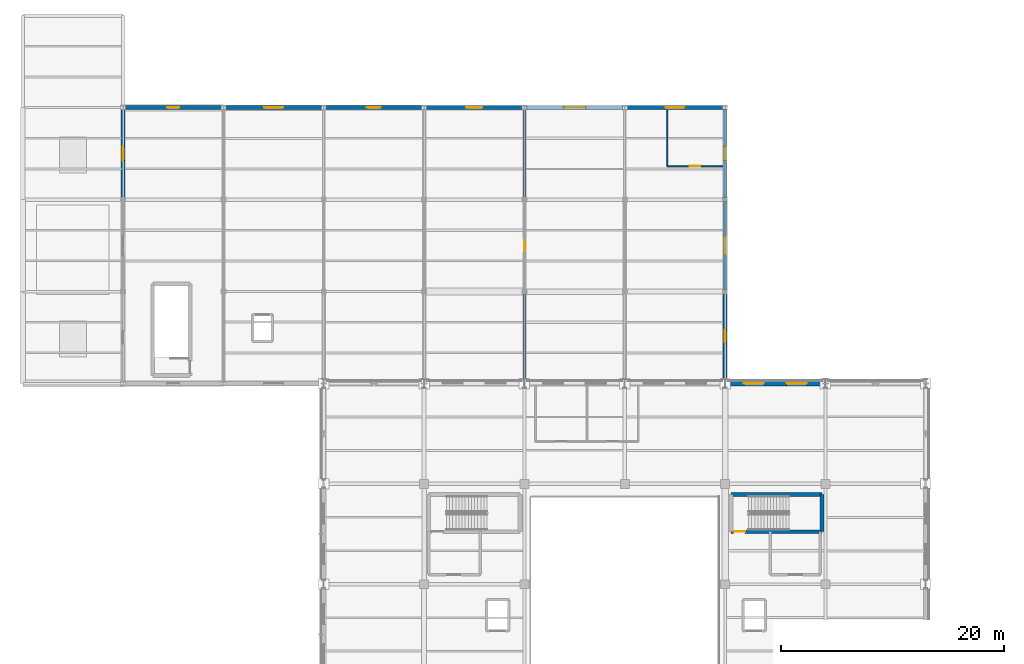
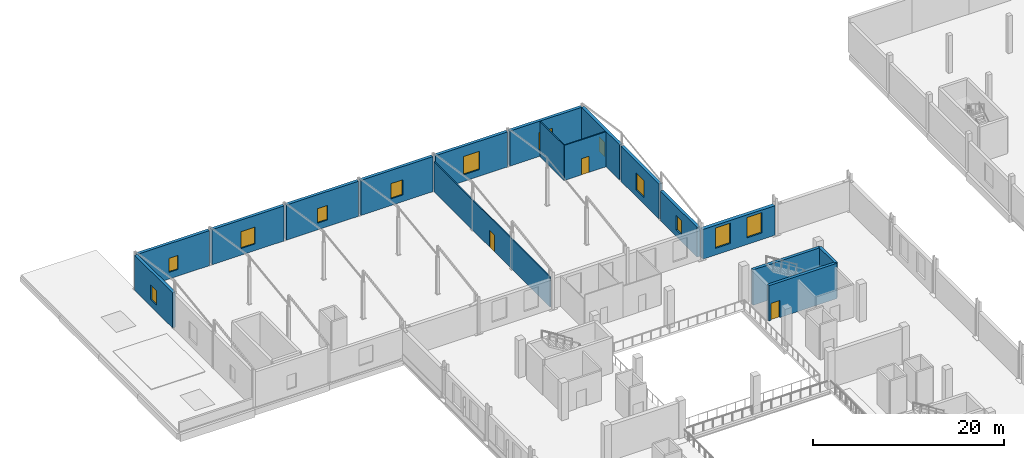
# One storey, part 36 of 54: 17 walls, 12 windows, 3 doors, 15 openings.
"""IFC4 building model written with IfcOpenShell, lengths in metres."""

from ifc_helpers import new_model, si_unit, direction, frame, frame_2d, origin, place, context, subcontext, project, spatial, rectangle, extrude, material, layer, layer_set, type_object, element, fill, save


model = new_model("IFC4")

# Units and contexts
model_context = context("Model", 3, precision=1e-05, world=origin(), true_north=direction((0.0, 1.0)))
body_context = subcontext(model_context, "Body", "Model", "MODEL_VIEW")
ifc_project = project(units=[si_unit("LENGTHUNIT", "METRE"), si_unit("AREAUNIT", "SQUARE_METRE"), si_unit("VOLUMEUNIT", "CUBIC_METRE"), si_unit("PLANEANGLEUNIT", "RADIAN"), si_unit("MASSUNIT", "GRAM", prefix="KILO")], contexts=[model_context])

# Site, building, storey
site_placement = place(None, origin())
site = spatial("IfcSite", under=ifc_project, at=site_placement, CompositionType="ELEMENT")
building_placement = place(site_placement, origin())
building = spatial("IfcBuilding", under=site, at=building_placement, Name="Sundgate Opera House", CompositionType="ELEMENT")
storey_placement = place(building_placement, frame((0.0, 0.0, 16.800048828125)))
storey = spatial("IfcBuildingStorey", under=building, at=storey_placement, Name="L03", CompositionType="ELEMENT", Elevation=16.800048828125)

# Wall, opening, door
ifc_material_1 = material(Name="Concrete C40/50", Category="concrete")
ifc_layer_1 = layer(ifc_material_1, 0.35009765625)
ifc_layer_set_1 = layer_set([ifc_layer_1], Name="Concrete C40/50")
wall_type_1 = type_object("IfcWallType", Name="WL-CORE-350", PredefinedType="SHEAR", material=ifc_layer_set_1)
wall_1_placement = place(storey_placement, frame((63.510009765625, 73.7099609375, 0.0), z_axis=(0.0, 0.0, 1.0), x_axis=(1.0, 0.0, 0.0)))
wall_1 = element("IfcWall", 1, at=wall_1_placement, inside=storey, type_object=wall_type_1, Name="L03 C4 South Shaft Wall", PredefinedType="SHEAR", context=body_context, shape_type="SweptSolid", body=[
    extrude(rectangle(XDim=8.179931640625, YDim=0.35009765625, at=frame_2d((4.08984375, 0.0))), origin(), (0.0, 0.0, 1.0), 4.52001953125),
])
opening_1_placement = place(wall_1_placement, frame((0.239990234375, 0.0, 0.0)))
opening_1 = element("IfcOpeningElement", 2, at=opening_1_placement, cuts=wall_1, Name="Opening DI01", PredefinedType="OPENING", context=body_context, shape_type="SweptSolid", body=[
    extrude(rectangle(XDim=1.050048828125, YDim=2.179931640625, at=frame_2d((0.52490234375, 1.08984375))), frame((0.0, 0.18505859375, 0.0), z_axis=(0.0, -1.0, 0.0), x_axis=(1.0, 0.0, 0.0)), (0.0, 0.0, 1.0), 0.3701171875),
])
ifc_material_2 = material(Name="Acoustic hardwood timber and steel core", Category="steel")
door_type_1 = type_object("IfcDoorType", Name="DR-STAIR-1050x2180", OperationType="NOTDEFINED", PredefinedType="DOOR", material=ifc_material_2)
door_1_placement = place(opening_1_placement, origin())
door_1 = element("IfcDoor", 3, at=door_1_placement, inside=storey, type_object=door_type_1, Name="L03 C4 Stair Door D0064", OperationType="SINGLE_SWING_RIGHT", OverallHeight=2.179931640625, OverallWidth=1.050048828125, PredefinedType="DOOR", context=body_context, shape_type="SweptSolid", body=[
    extrude(rectangle(XDim=1.050048828125, YDim=2.179931640625, at=frame_2d((0.52490234375, 1.08984375))), frame((0.0, 0.02490234375, 0.0), z_axis=(0.0, -1.0, 0.0), x_axis=(1.0, 0.0, 0.0)), (0.0, 0.0, 1.0), 0.050048828125),
])
fill(opening_1, door_1)

# Walls
wall_2_placement = place(storey_placement, frame((63.510009765625, 77.0400390625, 0.0), z_axis=(0.0, 0.0, 1.0), x_axis=(1.0, 0.0, 0.0)))
element("IfcWall", 4, at=wall_2_placement, inside=storey, type_object=wall_type_1, Name="L03 C4 North Shaft Wall", PredefinedType="SHEAR", context=body_context, shape_type="SweptSolid", body=[
    extrude(rectangle(XDim=8.179931640625, YDim=0.35009765625, at=frame_2d((4.08984375, 0.0))), origin(), (0.0, 0.0, 1.0), 4.52001953125),
])
wall_3_placement = place(storey_placement, frame((71.68994140625, 73.7099609375, 0.0), z_axis=(0.0, 0.0, 1.0), x_axis=(0.0, 1.0, 0.0)))
element("IfcWall", 5, at=wall_3_placement, inside=storey, type_object=wall_type_1, Name="L03 C4 East Shaft Wall", PredefinedType="SHEAR", context=body_context, shape_type="SweptSolid", body=[
    extrude(rectangle(XDim=3.330078125, YDim=0.35009765625, at=frame_2d((1.6650390625, 0.0))), origin(), (0.0, 0.0, 1.0), 4.52001953125),
])

# Wall, opening, window
ifc_material_3 = material(Name="Scanian red-brown facing brick masonry", Category="masonry")
ifc_layer_2 = layer(ifc_material_3, 0.360107421875)
ifc_layer_set_2 = layer_set([ifc_layer_2], Name="Scanian red-brown facing brick masonry")
wall_type_2 = type_object("IfcWallType", Name="WL-EXT-BRICK-360", PredefinedType="SOLIDWALL", material=ifc_layer_set_2)
wall_4_placement = place(storey_placement, frame((9.14501953125, 111.75, 0.0), z_axis=(0.0, 0.0, 1.0), x_axis=(1.0, 0.0, 0.0)))
wall_4 = element("IfcWall", 6, at=wall_4_placement, inside=storey, type_object=wall_type_2, Name="L03 Costume Wing North Wall W0424", PredefinedType="SOLIDWALL", context=body_context, shape_type="SweptSolid", body=[
    extrude(rectangle(XDim=8.7099609375, YDim=0.360107421875, at=frame_2d((4.35498046875, 0.0))), origin(), (0.0, 0.0, 1.0), 4.48486328125),
])
opening_2_placement = place(wall_4_placement, frame((3.804931640625, 0.0, 0.85009765625)))
opening_2 = element("IfcOpeningElement", 7, at=opening_2_placement, cuts=wall_4, Name="Opening W12", PredefinedType="OPENING", context=body_context, shape_type="SweptSolid", body=[
    extrude(rectangle(XDim=1.10009765625, YDim=1.800048828125, at=frame_2d((0.550048828125, 0.89990234375))), frame((0.0, 0.18994140625, 0.0), z_axis=(0.0, -1.0, 0.0), x_axis=(1.0, 0.0, 0.0)), (0.0, 0.0, 1.0), 0.380126953125),
])
ifc_material_4 = material(Name="Low-iron triple glazing in patinated bronze frame", Category="glass")
window_type_1 = type_object("IfcWindowType", Name="WN-STAGE-1100x1800", PartitioningType="SINGLE_PANEL", PredefinedType="WINDOW", material=ifc_material_4)
window_1_placement = place(opening_2_placement, origin())
window_1 = element("IfcWindow", 8, at=window_1_placement, inside=storey, type_object=window_type_1, Name="L03 Costume Pavilion Window WN0337", OverallHeight=1.800048828125, OverallWidth=1.10009765625, PartitioningType="SINGLE_PANEL", PredefinedType="WINDOW", context=body_context, shape_type="SweptSolid", body=[
    extrude(rectangle(XDim=1.10009765625, YDim=1.800048828125, at=frame_2d((0.550048828125, 0.89990234375))), frame((0.0, 0.030029296875, 0.0), z_axis=(0.0, -1.0, 0.0), x_axis=(1.0, 0.0, 0.0)), (0.0, 0.0, 1.0), 0.06005859375),
])
fill(opening_2, window_1)

wall_5_placement = place(storey_placement, frame((18.14501953125, 111.75, 0.0), z_axis=(0.0, 0.0, 1.0), x_axis=(1.0, 0.0, 0.0)))
wall_5 = element("IfcWall", 9, at=wall_5_placement, inside=storey, type_object=wall_type_2, Name="L03 Costume Wing North Wall W0425", PredefinedType="SOLIDWALL", context=body_context, shape_type="SweptSolid", body=[
    extrude(rectangle(XDim=8.7099609375, YDim=0.360107421875, at=frame_2d((4.35498046875, 0.0))), origin(), (0.0, 0.0, 1.0), 4.48486328125),
])
opening_3_placement = place(wall_5_placement, frame((3.5048828125, 0.0, 0.85009765625)))
opening_3 = element("IfcOpeningElement", 10, at=opening_3_placement, cuts=wall_5, Name="Opening W13", PredefinedType="OPENING", context=body_context, shape_type="SweptSolid", body=[
    extrude(rectangle(XDim=1.699951171875, YDim=2.14990234375, at=frame_2d((0.85009765625, 1.074951171875))), frame((0.0, 0.18994140625, 0.0), z_axis=(0.0, -1.0, 0.0), x_axis=(1.0, 0.0, 0.0)), (0.0, 0.0, 1.0), 0.380126953125),
])
ifc_material_5 = material(Name="Low-iron triple glazing in patinated bronze frame", Category="glass")
window_type_2 = type_object("IfcWindowType", Name="WN-GALL-1700x2150", PartitioningType="SINGLE_PANEL", PredefinedType="WINDOW", material=ifc_material_5)
window_2_placement = place(opening_3_placement, origin())
window_2 = element("IfcWindow", 11, at=window_2_placement, inside=storey, type_object=window_type_2, Name="L03 Costume Pavilion Window WN0338", OverallHeight=2.14990234375, OverallWidth=1.699951171875, PartitioningType="SINGLE_PANEL", PredefinedType="WINDOW", context=body_context, shape_type="SweptSolid", body=[
    extrude(rectangle(XDim=1.699951171875, YDim=2.14990234375, at=frame_2d((0.85009765625, 1.074951171875))), frame((0.0, 0.030029296875, 0.0), z_axis=(0.0, -1.0, 0.0), x_axis=(1.0, 0.0, 0.0)), (0.0, 0.0, 1.0), 0.06005859375),
])
fill(opening_3, window_2)

wall_6_placement = place(storey_placement, frame((27.14501953125, 111.75, 0.0), z_axis=(0.0, 0.0, 1.0), x_axis=(1.0, 0.0, 0.0)))
wall_6 = element("IfcWall", 12, at=wall_6_placement, inside=storey, type_object=wall_type_2, Name="L03 Costume Wing North Wall W0426", PredefinedType="SOLIDWALL", context=body_context, shape_type="SweptSolid", body=[
    extrude(rectangle(XDim=8.7099609375, YDim=0.360107421875, at=frame_2d((4.35498046875, 0.0))), origin(), (0.0, 0.0, 1.0), 4.48486328125),
])
opening_4_placement = place(wall_6_placement, frame((3.72998046875, 0.0, 0.85009765625)))
opening_4 = element("IfcOpeningElement", 13, at=opening_4_placement, cuts=wall_6, Name="Opening W14", PredefinedType="OPENING", context=body_context, shape_type="SweptSolid", body=[
    extrude(rectangle(XDim=1.25, YDim=1.85009765625, at=frame_2d((0.625, 0.925048828125))), frame((0.0, 0.18994140625, 0.0), z_axis=(0.0, -1.0, 0.0), x_axis=(1.0, 0.0, 0.0)), (0.0, 0.0, 1.0), 0.380126953125),
])
ifc_material_6 = material(Name="Low-iron triple glazing in patinated bronze frame", Category="glass")
window_type_3 = type_object("IfcWindowType", Name="WN-DRES-1250x1850", PartitioningType="SINGLE_PANEL", PredefinedType="WINDOW", material=ifc_material_6)
window_3_placement = place(opening_4_placement, origin())
window_3 = element("IfcWindow", 14, at=window_3_placement, inside=storey, type_object=window_type_3, Name="L03 Costume Pavilion Window WN0339", OverallHeight=1.85009765625, OverallWidth=1.25, PartitioningType="SINGLE_PANEL", PredefinedType="WINDOW", context=body_context, shape_type="SweptSolid", body=[
    extrude(rectangle(XDim=1.25, YDim=1.85009765625, at=frame_2d((0.625, 0.925048828125))), frame((0.0, 0.030029296875, 0.0), z_axis=(0.0, -1.0, 0.0), x_axis=(1.0, 0.0, 0.0)), (0.0, 0.0, 1.0), 0.06005859375),
])
fill(opening_4, window_3)

wall_7_placement = place(storey_placement, frame((36.14501953125, 111.75, 0.0), z_axis=(0.0, 0.0, 1.0), x_axis=(1.0, 0.0, 0.0)))
wall_7 = element("IfcWall", 15, at=wall_7_placement, inside=storey, type_object=wall_type_2, Name="L03 Costume Wing North Wall W0427", PredefinedType="SOLIDWALL", context=body_context, shape_type="SweptSolid", body=[
    extrude(rectangle(XDim=8.7099609375, YDim=0.360107421875, at=frame_2d((4.35498046875, 0.0))), origin(), (0.0, 0.0, 1.0), 4.48486328125),
])
opening_5_placement = place(wall_7_placement, frame((3.6298828125, 0.0, 0.85009765625)))
opening_5 = element("IfcOpeningElement", 16, at=opening_5_placement, cuts=wall_7, Name="Opening W15", PredefinedType="OPENING", context=body_context, shape_type="SweptSolid", body=[
    extrude(rectangle(XDim=1.449951171875, YDim=1.949951171875, at=frame_2d((0.72509765625, 0.97509765625))), frame((0.0, 0.18994140625, 0.0), z_axis=(0.0, -1.0, 0.0), x_axis=(1.0, 0.0, 0.0)), (0.0, 0.0, 1.0), 0.380126953125),
])
ifc_material_7 = material(Name="Low-iron triple glazing in patinated bronze frame", Category="glass")
window_type_4 = type_object("IfcWindowType", Name="WN-LIBR-1450x1950", PartitioningType="SINGLE_PANEL", PredefinedType="WINDOW", material=ifc_material_7)
window_4_placement = place(opening_5_placement, origin())
window_4 = element("IfcWindow", 17, at=window_4_placement, inside=storey, type_object=window_type_4, Name="L03 Costume Pavilion Window WN0340", OverallHeight=1.949951171875, OverallWidth=1.449951171875, PartitioningType="SINGLE_PANEL", PredefinedType="WINDOW", context=body_context, shape_type="SweptSolid", body=[
    extrude(rectangle(XDim=1.449951171875, YDim=1.949951171875, at=frame_2d((0.72509765625, 0.97509765625))), frame((0.0, 0.030029296875, 0.0), z_axis=(0.0, -1.0, 0.0), x_axis=(1.0, 0.0, 0.0)), (0.0, 0.0, 1.0), 0.06005859375),
])
fill(opening_5, window_4)

wall_8_placement = place(storey_placement, frame((45.14501953125, 111.75, 0.0), z_axis=(0.0, 0.0, 1.0), x_axis=(1.0, 0.0, 0.0)))
wall_8 = element("IfcWall", 18, at=wall_8_placement, inside=storey, type_object=wall_type_2, Name="L03 Costume Wing North Wall W0428", PredefinedType="SOLIDWALL", context=body_context, shape_type="SweptSolid", body=[
    extrude(rectangle(XDim=8.7099609375, YDim=0.360107421875, at=frame_2d((4.35498046875, 0.0))), origin(), (0.0, 0.0, 1.0), 4.48486328125),
])
opening_6_placement = place(wall_8_placement, frame((3.3798828125, 0.0, 0.85009765625)))
opening_6 = element("IfcOpeningElement", 19, at=opening_6_placement, cuts=wall_8, Name="Opening W16", PredefinedType="OPENING", context=body_context, shape_type="SweptSolid", body=[
    extrude(rectangle(XDim=1.949951171875, YDim=2.35009765625, at=frame_2d((0.97509765625, 1.175048828125))), frame((0.0, 0.18994140625, 0.0), z_axis=(0.0, -1.0, 0.0), x_axis=(1.0, 0.0, 0.0)), (0.0, 0.0, 1.0), 0.380126953125),
])
ifc_material_8 = material(Name="Low-iron triple glazing in patinated bronze frame", Category="glass")
window_type_5 = type_object("IfcWindowType", Name="WN-REHR-1950x2350", PartitioningType="SINGLE_PANEL", PredefinedType="WINDOW", material=ifc_material_8)
window_5_placement = place(opening_6_placement, origin())
window_5 = element("IfcWindow", 20, at=window_5_placement, inside=storey, type_object=window_type_5, Name="L03 Costume Pavilion Window WN0341", OverallHeight=2.35009765625, OverallWidth=1.949951171875, PartitioningType="SINGLE_PANEL", PredefinedType="WINDOW", context=body_context, shape_type="SweptSolid", body=[
    extrude(rectangle(XDim=1.949951171875, YDim=2.35009765625, at=frame_2d((0.97509765625, 1.175048828125))), frame((0.0, 0.030029296875, 0.0), z_axis=(0.0, -1.0, 0.0), x_axis=(1.0, 0.0, 0.0)), (0.0, 0.0, 1.0), 0.06005859375),
])
fill(opening_6, window_5)

wall_9_placement = place(storey_placement, frame((54.14501953125, 111.75, 0.0), z_axis=(0.0, 0.0, 1.0), x_axis=(1.0, 0.0, 0.0)))
wall_9 = element("IfcWall", 21, at=wall_9_placement, inside=storey, type_object=wall_type_2, Name="L03 Costume Wing North Wall W0429", PredefinedType="SOLIDWALL", context=body_context, shape_type="SweptSolid", body=[
    extrude(rectangle(XDim=8.7099609375, YDim=0.360107421875, at=frame_2d((4.35498046875, 0.0))), origin(), (0.0, 0.0, 1.0), 4.48486328125),
])
opening_7_placement = place(wall_9_placement, frame((3.530029296875, 0.0, 0.85009765625)))
opening_7 = element("IfcOpeningElement", 22, at=opening_7_placement, cuts=wall_9, Name="Opening W09", PredefinedType="OPENING", context=body_context, shape_type="SweptSolid", body=[
    extrude(rectangle(XDim=1.64990234375, YDim=2.199951171875, at=frame_2d((0.824951171875, 1.10009765625))), frame((0.0, 0.18994140625, 0.0), z_axis=(0.0, -1.0, 0.0), x_axis=(1.0, 0.0, 0.0)), (0.0, 0.0, 1.0), 0.380126953125),
])
ifc_material_9 = material(Name="Low-iron triple glazing in patinated bronze frame", Category="glass")
window_type_6 = type_object("IfcWindowType", Name="WN-COST-1650x2200", PartitioningType="SINGLE_PANEL", PredefinedType="WINDOW", material=ifc_material_9)
window_6_placement = place(opening_7_placement, origin())
window_6 = element("IfcWindow", 23, at=window_6_placement, inside=storey, type_object=window_type_6, Name="L03 Costume Pavilion Window WN0342", OverallHeight=2.199951171875, OverallWidth=1.64990234375, PartitioningType="SINGLE_PANEL", PredefinedType="WINDOW", context=body_context, shape_type="SweptSolid", body=[
    extrude(rectangle(XDim=1.64990234375, YDim=2.199951171875, at=frame_2d((0.824951171875, 1.10009765625))), frame((0.0, 0.030029296875, 0.0), z_axis=(0.0, -1.0, 0.0), x_axis=(1.0, 0.0, 0.0)), (0.0, 0.0, 1.0), 0.06005859375),
])
fill(opening_7, window_6)

wall_10_placement = place(storey_placement, frame((9.0, 111.60498046875, 0.0), z_axis=(0.0, 0.0, 1.0), x_axis=(0.0, -1.0, 0.0)))
wall_10 = element("IfcWall", 24, at=wall_10_placement, inside=storey, type_object=wall_type_2, Name="L03 Costume Wing West Wall W0432", PredefinedType="SOLIDWALL", context=body_context, shape_type="SweptSolid", body=[
    extrude(rectangle(XDim=7.9599609375, YDim=0.360107421875, at=frame_2d((3.97998046875, 0.0))), origin(), (0.0, 0.0, 1.0), 4.48486328125),
])
opening_8_placement = place(wall_10_placement, frame((3.35498046875, 0.0, 0.85009765625)))
opening_8 = element("IfcOpeningElement", 25, at=opening_8_placement, cuts=wall_10, Name="Opening W14", PredefinedType="OPENING", context=body_context, shape_type="SweptSolid", body=[
    extrude(rectangle(XDim=1.25, YDim=1.85009765625, at=frame_2d((0.625, 0.925048828125))), frame((0.0, 0.18994140625, 0.0), z_axis=(0.0, -1.0, 0.0), x_axis=(1.0, 0.0, 0.0)), (0.0, 0.0, 1.0), 0.380126953125),
])
window_7_placement = place(opening_8_placement, origin())
window_7 = element("IfcWindow", 26, at=window_7_placement, inside=storey, type_object=window_type_3, Name="L03 Costume Pavilion Window WN0345", OverallHeight=1.85009765625, OverallWidth=1.25, PartitioningType="SINGLE_PANEL", PredefinedType="WINDOW", context=body_context, shape_type="SweptSolid", body=[
    extrude(rectangle(XDim=1.25, YDim=1.85009765625, at=frame_2d((0.625, 0.925048828125))), frame((0.0, 0.030029296875, 0.0), z_axis=(0.0, -1.0, 0.0), x_axis=(1.0, 0.0, 0.0)), (0.0, 0.0, 1.0), 0.06005859375),
])
fill(opening_8, window_7)

wall_11_placement = place(storey_placement, frame((63.0, 87.39501953125, 0.0), z_axis=(0.0, 0.0, 1.0), x_axis=(0.0, 1.0, 0.0)))
wall_11 = element("IfcWall", 27, at=wall_11_placement, inside=storey, type_object=wall_type_2, Name="L03 Costume Wing East Wall W0433", PredefinedType="SOLIDWALL", context=body_context, shape_type="SweptSolid", body=[
    extrude(rectangle(XDim=7.7099609375, YDim=0.360107421875, at=frame_2d((3.85498046875, 0.0))), origin(), (0.0, 0.0, 1.0), 3.784912109375),
])
opening_9_placement = place(wall_11_placement, frame((3.304931640625, 0.0, 0.85009765625)))
opening_9 = element("IfcOpeningElement", 28, at=opening_9_placement, cuts=wall_11, Name="Opening W12", PredefinedType="OPENING", context=body_context, shape_type="SweptSolid", body=[
    extrude(rectangle(XDim=1.10009765625, YDim=1.800048828125, at=frame_2d((0.550048828125, 0.89990234375))), frame((0.0, 0.18994140625, 0.0), z_axis=(0.0, -1.0, 0.0), x_axis=(1.0, 0.0, 0.0)), (0.0, 0.0, 1.0), 0.380126953125),
])
window_8_placement = place(opening_9_placement, origin())
window_8 = element("IfcWindow", 29, at=window_8_placement, inside=storey, type_object=window_type_1, Name="L03 Costume Pavilion Window WN0346", OverallHeight=1.800048828125, OverallWidth=1.10009765625, PartitioningType="SINGLE_PANEL", PredefinedType="WINDOW", context=body_context, shape_type="SweptSolid", body=[
    extrude(rectangle(XDim=1.10009765625, YDim=1.800048828125, at=frame_2d((0.550048828125, 0.89990234375))), frame((0.0, 0.030029296875, 0.0), z_axis=(0.0, -1.0, 0.0), x_axis=(1.0, 0.0, 0.0)), (0.0, 0.0, 1.0), 0.06005859375),
])
fill(opening_9, window_8)

wall_12_placement = place(storey_placement, frame((63.0, 95.39501953125, 0.0), z_axis=(0.0, 0.0, 1.0), x_axis=(0.0, 1.0, 0.0)))
wall_12 = element("IfcWall", 30, at=wall_12_placement, inside=storey, type_object=wall_type_2, Name="L03 Costume Wing East Wall W0434", PredefinedType="SOLIDWALL", context=body_context, shape_type="SweptSolid", body=[
    extrude(rectangle(XDim=7.9599609375, YDim=0.360107421875, at=frame_2d((3.97998046875, 0.0))), origin(), (0.0, 0.0, 1.0), 4.48486328125),
])
opening_10_placement = place(wall_12_placement, frame((3.1298828125, 0.0, 0.85009765625)))
opening_10 = element("IfcOpeningElement", 31, at=opening_10_placement, cuts=wall_12, Name="Opening W13", PredefinedType="OPENING", context=body_context, shape_type="SweptSolid", body=[
    extrude(rectangle(XDim=1.699951171875, YDim=2.14990234375, at=frame_2d((0.85009765625, 1.074951171875))), frame((0.0, 0.18994140625, 0.0), z_axis=(0.0, -1.0, 0.0), x_axis=(1.0, 0.0, 0.0)), (0.0, 0.0, 1.0), 0.380126953125),
])
window_9_placement = place(opening_10_placement, origin())
window_9 = element("IfcWindow", 32, at=window_9_placement, inside=storey, type_object=window_type_2, Name="L03 Costume Pavilion Window WN0347", OverallHeight=2.14990234375, OverallWidth=1.699951171875, PartitioningType="SINGLE_PANEL", PredefinedType="WINDOW", context=body_context, shape_type="SweptSolid", body=[
    extrude(rectangle(XDim=1.699951171875, YDim=2.14990234375, at=frame_2d((0.85009765625, 1.074951171875))), frame((0.0, 0.030029296875, 0.0), z_axis=(0.0, -1.0, 0.0), x_axis=(1.0, 0.0, 0.0)), (0.0, 0.0, 1.0), 0.06005859375),
])
fill(opening_10, window_9)

wall_13_placement = place(storey_placement, frame((63.0, 103.64501953125, 0.0), z_axis=(0.0, 0.0, 1.0), x_axis=(0.0, 1.0, 0.0)))
wall_13 = element("IfcWall", 33, at=wall_13_placement, inside=storey, type_object=wall_type_2, Name="L03 Costume Wing East Wall W0435", PredefinedType="SOLIDWALL", context=body_context, shape_type="SweptSolid", body=[
    extrude(rectangle(XDim=7.9599609375, YDim=0.360107421875, at=frame_2d((3.97998046875, 0.0))), origin(), (0.0, 0.0, 1.0), 4.48486328125),
])
opening_11_placement = place(wall_13_placement, frame((3.35498046875, 0.0, 0.85009765625)))
opening_11 = element("IfcOpeningElement", 34, at=opening_11_placement, cuts=wall_13, Name="Opening W14", PredefinedType="OPENING", context=body_context, shape_type="SweptSolid", body=[
    extrude(rectangle(XDim=1.25, YDim=1.85009765625, at=frame_2d((0.625, 0.925048828125))), frame((0.0, 0.18994140625, 0.0), z_axis=(0.0, -1.0, 0.0), x_axis=(1.0, 0.0, 0.0)), (0.0, 0.0, 1.0), 0.380126953125),
])
window_10_placement = place(opening_11_placement, origin())
window_10 = element("IfcWindow", 35, at=window_10_placement, inside=storey, type_object=window_type_3, Name="L03 Costume Pavilion Window WN0348", OverallHeight=1.85009765625, OverallWidth=1.25, PartitioningType="SINGLE_PANEL", PredefinedType="WINDOW", context=body_context, shape_type="SweptSolid", body=[
    extrude(rectangle(XDim=1.25, YDim=1.85009765625, at=frame_2d((0.625, 0.925048828125))), frame((0.0, 0.030029296875, 0.0), z_axis=(0.0, -1.0, 0.0), x_axis=(1.0, 0.0, 0.0)), (0.0, 0.0, 1.0), 0.06005859375),
])
fill(opening_11, window_10)

# Wall, openings, windows
ifc_material_10 = material(Name="Komstad limestone ashlar masonry", Category="masonry")
ifc_layer_3 = layer(ifc_material_10, 0.43994140625)
ifc_layer_set_3 = layer_set([ifc_layer_3], Name="Komstad limestone ashlar masonry")
wall_type_3 = type_object("IfcWallType", Name="WL-EXT-LIME-440", PredefinedType="SOLIDWALL", material=ifc_layer_set_3)
wall_14_placement = place(storey_placement, frame((63.14501953125, 87.0, 0.0), z_axis=(0.0, 0.0, 1.0), x_axis=(1.0, 0.0, 0.0)))
wall_14 = element("IfcWall", 36, at=wall_14_placement, inside=storey, type_object=wall_type_3, Name="L03 Lifted Cube North Relief Wall W0078", PredefinedType="SOLIDWALL", context=body_context, shape_type="SweptSolid", body=[
    extrude(rectangle(XDim=8.7099609375, YDim=0.43994140625, at=frame_2d((4.35498046875, 0.0))), origin(), (0.0, 0.0, 1.0), 3.784912109375),
])
opening_12_placement = place(wall_14_placement, frame((1.5390625, 0.0, 0.85009765625)))
opening_12 = element("IfcOpeningElement", 37, at=opening_12_placement, cuts=wall_14, Name="Opening W01", PredefinedType="OPENING", context=body_context, shape_type="SweptSolid", body=[
    extrude(rectangle(XDim=1.800048828125, YDim=2.60009765625, at=frame_2d((0.89990234375, 1.300048828125))), frame((0.0, 0.22998046875, 0.0), z_axis=(0.0, -1.0, 0.0), x_axis=(1.0, 0.0, 0.0)), (0.0, 0.0, 1.0), 0.4599609375),
])
opening_13_placement = place(wall_14_placement, frame((5.37109375, 0.0, 0.85009765625)))
opening_13 = element("IfcOpeningElement", 38, at=opening_13_placement, cuts=wall_14, Name="Opening W01", PredefinedType="OPENING", context=body_context, shape_type="SweptSolid", body=[
    extrude(rectangle(XDim=1.800048828125, YDim=2.60009765625, at=frame_2d((0.89990234375, 1.300048828125))), frame((0.0, 0.22998046875, 0.0), z_axis=(0.0, -1.0, 0.0), x_axis=(1.0, 0.0, 0.0)), (0.0, 0.0, 1.0), 0.4599609375),
])
ifc_material_11 = material(Name="Low-iron triple glazing in patinated bronze frame", Category="glass")
window_type_7 = type_object("IfcWindowType", Name="WN-CUBE-1800x2600", PartitioningType="SINGLE_PANEL", PredefinedType="WINDOW", material=ifc_material_11)
window_11_placement = place(opening_12_placement, origin())
window_11 = element("IfcWindow", 39, at=window_11_placement, inside=storey, type_object=window_type_7, Name="L03 Cube Loggia Window WN0045", OverallHeight=2.60009765625, OverallWidth=1.800048828125, PartitioningType="SINGLE_PANEL", PredefinedType="WINDOW", context=body_context, shape_type="SweptSolid", body=[
    extrude(rectangle(XDim=1.800048828125, YDim=2.60009765625, at=frame_2d((0.89990234375, 1.300048828125))), frame((0.0, 0.030029296875, 0.0), z_axis=(0.0, -1.0, 0.0), x_axis=(1.0, 0.0, 0.0)), (0.0, 0.0, 1.0), 0.06005859375),
])
fill(opening_12, window_11)
window_12_placement = place(opening_13_placement, origin())
window_12 = element("IfcWindow", 40, at=window_12_placement, inside=storey, type_object=window_type_7, Name="L03 Cube Loggia Window WN0046", OverallHeight=2.60009765625, OverallWidth=1.800048828125, PartitioningType="SINGLE_PANEL", PredefinedType="WINDOW", context=body_context, shape_type="SweptSolid", body=[
    extrude(rectangle(XDim=1.800048828125, YDim=2.60009765625, at=frame_2d((0.89990234375, 1.300048828125))), frame((0.0, 0.030029296875, 0.0), z_axis=(0.0, -1.0, 0.0), x_axis=(1.0, 0.0, 0.0)), (0.0, 0.0, 1.0), 0.06005859375),
])
fill(opening_13, window_12)

# Wall, opening, door
ifc_material_12 = material(Name="Office and library partition", Category="gypsum")
ifc_layer_4 = layer(ifc_material_12, 0.1298828125)
ifc_layer_set_4 = layer_set([ifc_layer_4], Name="Office and library partition")
wall_type_4 = type_object("IfcWallType", Name="WL-INT-PART-130", PredefinedType="PARTITIONING", material=ifc_layer_set_4)
wall_15_placement = place(storey_placement, frame((45.0, 87.199951171875, 0.0), z_axis=(0.0, 0.0, 1.0), x_axis=(0.0, 1.0, 0.0)))
wall_15 = element("IfcWall", 41, at=wall_15_placement, inside=storey, type_object=wall_type_4, Name="L03 Interior Partition W1075", PredefinedType="PARTITIONING", context=body_context, shape_type="SweptSolid", body=[
    extrude(rectangle(XDim=24.300048828125, YDim=0.1298828125, at=frame_2d((12.14990234375, 0.0))), origin(), (0.0, 0.0, 1.0), 3.8349609375),
])
opening_14_placement = place(wall_15_placement, frame((11.64990234375, 0.0, 0.0)))
opening_14 = element("IfcOpeningElement", 42, at=opening_14_placement, cuts=wall_15, Name="Opening DI10", PredefinedType="OPENING", context=body_context, shape_type="SweptSolid", body=[
    extrude(rectangle(XDim=1.0, YDim=2.1201171875, at=frame_2d((0.5, 1.06005859375))), frame((0.0, 0.074951171875, 0.0), z_axis=(0.0, -1.0, 0.0), x_axis=(1.0, 0.0, 0.0)), (0.0, 0.0, 1.0), 0.14990234375),
])
ifc_material_13 = material(Name="Acoustic hardwood timber and steel core", Category="steel")
door_type_2 = type_object("IfcDoorType", Name="DR-UNR-1000x2120", OperationType="NOTDEFINED", PredefinedType="DOOR", material=ifc_material_13)
door_2_placement = place(opening_14_placement, origin())
door_2 = element("IfcDoor", 43, at=door_2_placement, inside=storey, type_object=door_type_2, Name="L03 Interior Door D0231", OperationType="SINGLE_SWING_RIGHT", OverallHeight=2.1201171875, OverallWidth=1.0, PredefinedType="DOOR", context=body_context, shape_type="SweptSolid", body=[
    extrude(rectangle(XDim=1.0, YDim=2.1201171875, at=frame_2d((0.5, 1.06005859375))), frame((0.0, 0.02490234375, 0.0), z_axis=(0.0, -1.0, 0.0), x_axis=(1.0, 0.0, 0.0)), (0.0, 0.0, 1.0), 0.050048828125),
])
fill(opening_14, door_2)

ifc_material_14 = material(Name="Moisture-resistant sanitary partition", Category="gypsum")
ifc_layer_5 = layer(ifc_material_14, 0.114990234375)
ifc_layer_set_5 = layer_set([ifc_layer_5], Name="Moisture-resistant sanitary partition")
wall_type_5 = type_object("IfcWallType", Name="WL-INT-WET-115", PredefinedType="PARTITIONING", material=ifc_layer_set_5)
wall_16_placement = place(storey_placement, frame((57.800048828125, 106.5, 0.0), z_axis=(0.0, 0.0, 1.0), x_axis=(1.0, 0.0, 0.0)))
wall_16 = element("IfcWall", 44, at=wall_16_placement, inside=storey, type_object=wall_type_5, Name="L03 Interior Partition W1076", PredefinedType="PARTITIONING", context=body_context, shape_type="SweptSolid", body=[
    extrude(rectangle(XDim=5.0, YDim=0.114990234375, at=frame_2d((2.5, 0.0))), origin(), (0.0, 0.0, 1.0), 4.48486328125),
])
opening_15_placement = place(wall_16_placement, frame((2.0400390625, 0.0, 0.0)))
opening_15 = element("IfcOpeningElement", 45, at=opening_15_placement, cuts=wall_16, Name="Opening DI12", PredefinedType="OPENING", context=body_context, shape_type="SweptSolid", body=[
    extrude(rectangle(XDim=0.919921875, YDim=2.080078125, at=frame_2d((0.4599609375, 1.0400390625))), frame((0.0, 0.0673828125, 0.0), z_axis=(0.0, -1.0, 0.0), x_axis=(1.0, 0.0, 0.0)), (0.0, 0.0, 1.0), 0.135009765625),
])
ifc_material_15 = material(Name="Acoustic hardwood timber and steel core", Category="steel")
door_type_3 = type_object("IfcDoorType", Name="DR-WC-920x2080", OperationType="NOTDEFINED", PredefinedType="DOOR", material=ifc_material_15)
door_3_placement = place(opening_15_placement, origin())
door_3 = element("IfcDoor", 46, at=door_3_placement, inside=storey, type_object=door_type_3, Name="L03 Interior Door D0232", OperationType="SINGLE_SWING_LEFT", OverallHeight=2.080078125, OverallWidth=0.919921875, PredefinedType="DOOR", context=body_context, shape_type="SweptSolid", body=[
    extrude(rectangle(XDim=0.919921875, YDim=2.080078125, at=frame_2d((0.4599609375, 1.0400390625))), frame((0.0, 0.02490234375, 0.0), z_axis=(0.0, -1.0, 0.0), x_axis=(1.0, 0.0, 0.0)), (0.0, 0.0, 1.0), 0.050048828125),
])
fill(opening_15, door_3)

# Wall
wall_17_placement = place(storey_placement, frame((57.800048828125, 106.5, 0.0), z_axis=(0.0, 0.0, 1.0), x_axis=(0.0, 1.0, 0.0)))
element("IfcWall", 47, at=wall_17_placement, inside=storey, type_object=wall_type_5, Name="L03 Interior Partition W1077", PredefinedType="PARTITIONING", context=body_context, shape_type="SweptSolid", body=[
    extrude(rectangle(XDim=5.0, YDim=0.114990234375, at=frame_2d((2.5, 0.0))), origin(), (0.0, 0.0, 1.0), 4.48486328125),
])

save(model, "model.ifc")
